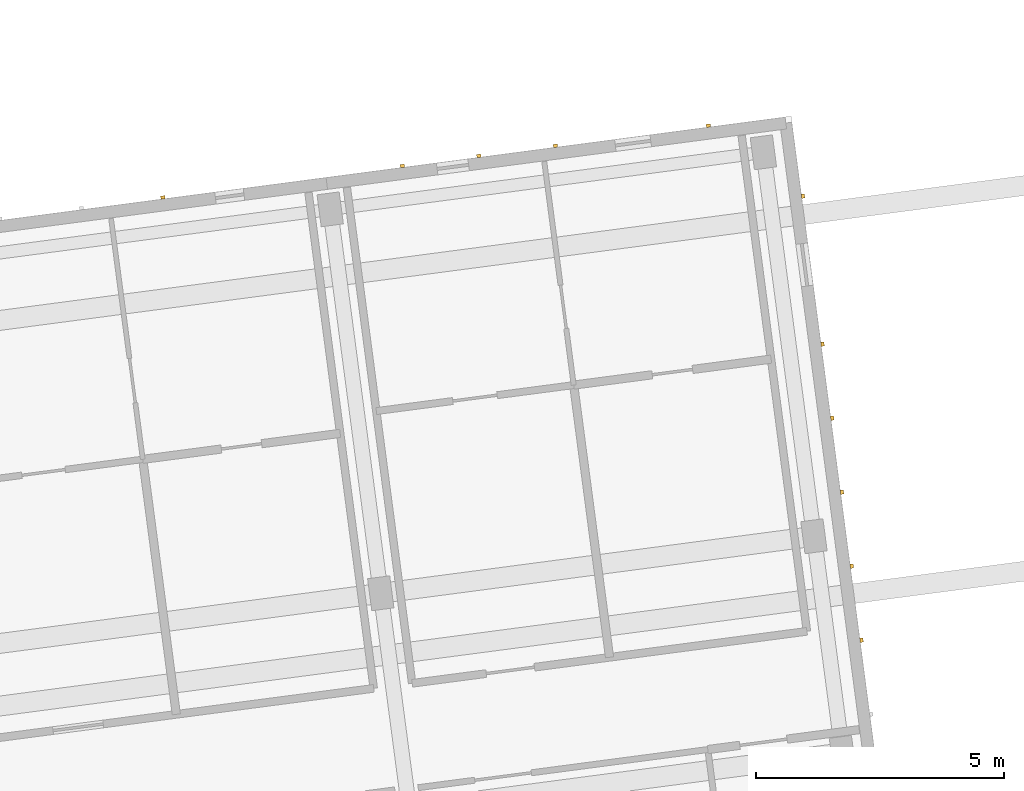
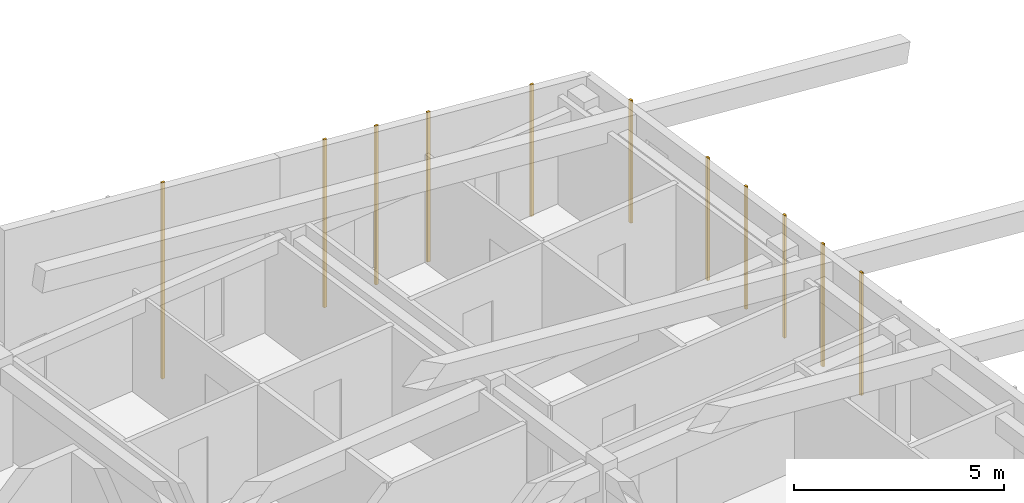
# One storey, part 15 of 16: 11 coverings.
"""IFC4 building model written with IfcOpenShell, lengths in metres."""

from ifc_helpers import new_model, si_unit, direction, frame, origin, origin_2d, place, context, subcontext, project, spatial, rectangle, extrude, material, layer, layer_set, type_object, element, save


model = new_model("IFC4")

# Units and contexts
model_context = context("Model", 3, precision=1e-05, world=origin(), true_north=direction((0.0, 1.0)))
body_context = subcontext(model_context, "Body", "Model", "MODEL_VIEW")
ifc_project = project(units=[si_unit("LENGTHUNIT", "METRE"), si_unit("AREAUNIT", "SQUARE_METRE"), si_unit("VOLUMEUNIT", "CUBIC_METRE"), si_unit("PLANEANGLEUNIT", "RADIAN"), si_unit("MASSUNIT", "GRAM", prefix="KILO")], contexts=[model_context])

# Site, building, storey
site_placement = place(None, origin())
site = spatial("IfcSite", under=ifc_project, at=site_placement, CompositionType="ELEMENT")
building_placement = place(site_placement, origin())
building = spatial("IfcBuilding", under=site, at=building_placement, Name="Kestramere Prow Commons", CompositionType="ELEMENT")
storey_placement = place(building_placement, frame((0.0, 0.0, 40.89990234375)))
storey = spatial("IfcBuildingStorey", under=building, at=storey_placement, Name="L12", CompositionType="ELEMENT", Elevation=40.89990234375)

# Coverings
ifc_material = material(Name="Weathered Zinc-Titanium Standing-Seam Cladding")
ifc_layer = layer(ifc_material, 0.074951171875)
ifc_layer_set = layer_set([ifc_layer], Name="Weathered Zinc-Titanium Standing-Seam Cladding")
covering_type = type_object("IfcCoveringType", Name="COV-CLAD-SEAM", PredefinedType="CLADDING", material=ifc_layer_set)
covering_1_placement = place(storey_placement, frame((40.1181640625, 96.6630859375, -0.25), z_axis=(0.0, 0.0, 1.0), x_axis=(0.991444861374, 0.13052619222, 0.0)))
element("IfcCovering", 1, at=covering_1_placement, inside=storey, type_object=covering_type, Name="EW-A-L12-N-3 Standing-Seam Rib 3", PredefinedType="CLADDING", context=body_context, shape_type="SweptSolid", body=[
    extrude(rectangle(XDim=0.0849609375, YDim=0.06494140625, at=origin_2d()), origin(), (0.0, 0.0, 1.0), 5.710693359375),
])
covering_2_placement = place(storey_placement, frame((44.940673828125, 97.298095703125, -0.25), z_axis=(0.0, 0.0, 1.0), x_axis=(0.991444861374, 0.13052619222, 0.0)))
element("IfcCovering", 2, at=covering_2_placement, inside=storey, type_object=covering_type, Name="EW-A-L12-N-4 Standing-Seam Rib 1", PredefinedType="CLADDING", context=body_context, shape_type="SweptSolid", body=[
    extrude(rectangle(XDim=0.0849609375, YDim=0.06494140625, at=origin_2d()), origin(), (0.0, 0.0, 1.0), 4.8876953125),
])
covering_3_placement = place(storey_placement, frame((46.481689453125, 97.500732421875, -0.25), z_axis=(0.0, 0.0, 1.0), x_axis=(0.991444861374, 0.13052619222, 0.0)))
element("IfcCovering", 3, at=covering_3_placement, inside=storey, type_object=covering_type, Name="EW-A-L12-N-4 Standing-Seam Rib 2", PredefinedType="CLADDING", context=body_context, shape_type="SweptSolid", body=[
    extrude(rectangle(XDim=0.0849609375, YDim=0.06494140625, at=origin_2d()), origin(), (0.0, 0.0, 1.0), 4.62451171875),
])
covering_4_placement = place(storey_placement, frame((48.0224609375, 97.70361328125, -0.25), z_axis=(0.0, 0.0, 1.0), x_axis=(0.991444861374, 0.13052619222, 0.0)))
element("IfcCovering", 4, at=covering_4_placement, inside=storey, type_object=covering_type, Name="EW-A-L12-N-4 Standing-Seam Rib 3", PredefinedType="CLADDING", context=body_context, shape_type="SweptSolid", body=[
    extrude(rectangle(XDim=0.0849609375, YDim=0.06494140625, at=origin_2d()), origin(), (0.0, 0.0, 1.0), 4.361572265625),
])
covering_5_placement = place(storey_placement, frame((51.104248046875, 98.109375, -0.25), z_axis=(0.0, 0.0, 1.0), x_axis=(0.991444861374, 0.13052619222, 0.0)))
element("IfcCovering", 5, at=covering_5_placement, inside=storey, type_object=covering_type, Name="EW-A-L12-N-4 Standing-Seam Rib 5", PredefinedType="CLADDING", context=body_context, shape_type="SweptSolid", body=[
    extrude(rectangle(XDim=0.0849609375, YDim=0.06494140625, at=origin_2d()), origin(), (0.0, 0.0, 1.0), 3.83544921875),
])
for number, where, z_axis, x_axis, name in (
    (6, (53.012451171875, 96.690185546875, -0.25), (0.0, 0.0, 1.0), (0.13052619222, -0.991444861374, 0.0), "EW-A-L12-EAV Standing-Seam Rib 1"),
    (7, (53.405029296875, 93.708740234375, -0.25), (0.0, 0.0, 1.0), (0.13052619222, -0.991444861374, 0.0), "EW-A-L12-EAV Standing-Seam Rib 3"),
    (8, (53.601318359375, 92.21826171875, -0.25), (0.0, 0.0, 1.0), (0.13052619222, -0.991444861374, 0.0), "EW-A-L12-EAV Standing-Seam Rib 4"),
    (9, (53.797607421875, 90.7275390625, -0.25), (0.0, 0.0, 1.0), (0.13052619222, -0.991444861374, 0.0), "EW-A-L12-EAV Standing-Seam Rib 5"),
    (10, (53.99365234375, 89.23681640625, -0.25), (0.0, 0.0, 1.0), (0.13052619222, -0.991444861374, 0.0), "EW-A-L12-EAV Standing-Seam Rib 6"),
    (11, (54.18994140625, 87.74609375, -0.25), (0.0, 0.0, 1.0), (0.13052619222, -0.991444861374, 0.0), "EW-A-L12-EAV Standing-Seam Rib 7"),
):
    element("IfcCovering", number, at=place(storey_placement, frame(where, z_axis=z_axis, x_axis=x_axis)), inside=storey, type_object=covering_type, Name=name, PredefinedType="CLADDING", context=body_context, shape_type="SweptSolid", body=[
        extrude(rectangle(XDim=0.0849609375, YDim=0.06494140625, at=origin_2d()), origin(), (0.0, 0.0, 1.0), 3.572509765625),
    ])

save(model, "model.ifc")
